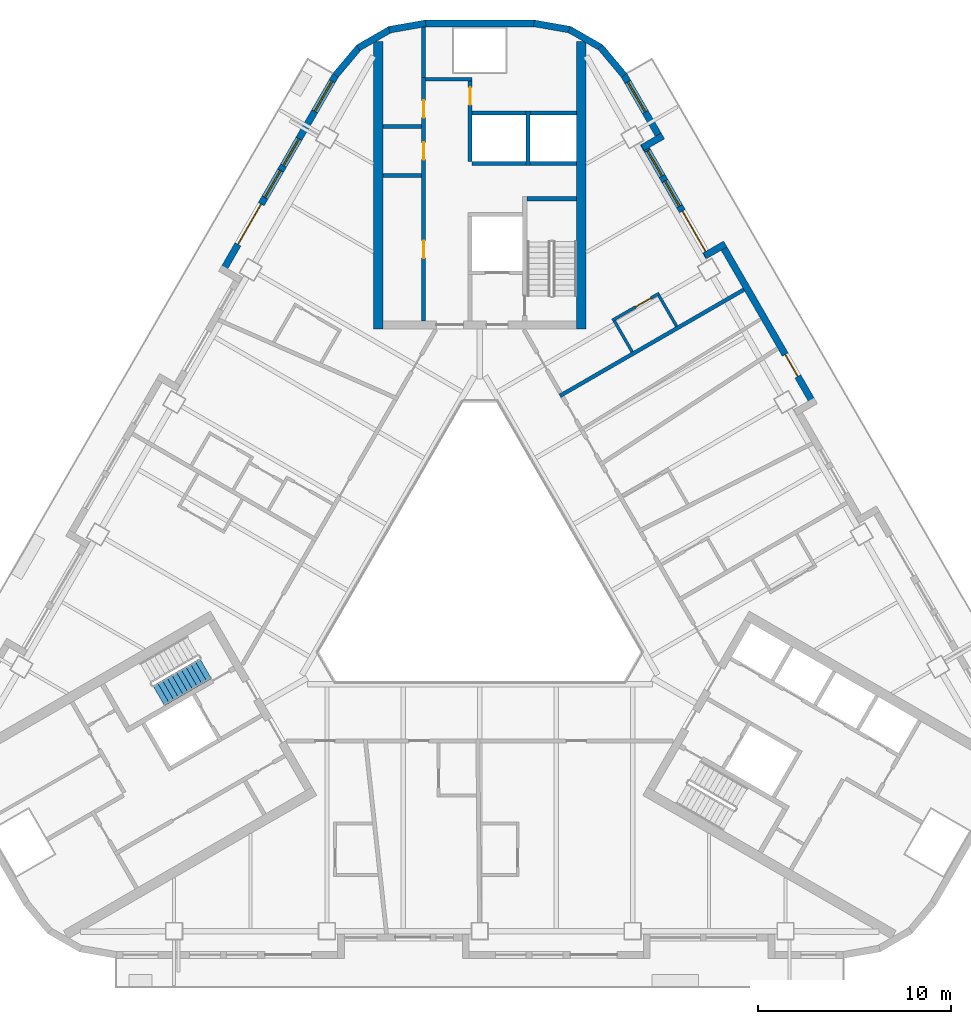
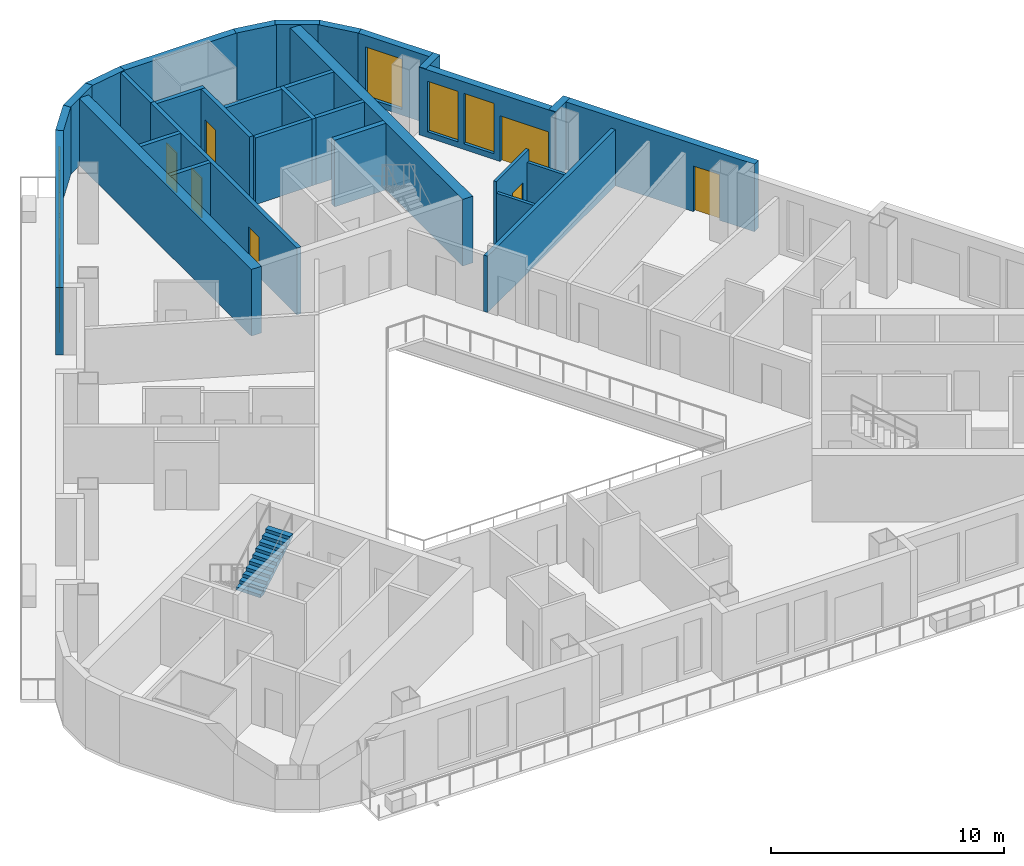
# One storey, part 7 of 14: 31 walls, 8 doors, 6 windows, 1 stair flight, 14 openings, 1 element without a shape of its own.
"""IFC4 building model written with IfcOpenShell, lengths in metres."""

from ifc_helpers import new_model, si_unit, direction, frame, frame_2d, origin, place, context, subcontext, project, spatial, polyline, rectangle, outline, extrude, material, layer, layer_set, type_object, element, fill, aggregate, save


model = new_model("IFC4")

# Units and contexts
model_context = context("Model", 3, precision=1e-05, world=origin(), true_north=direction((0.0, 1.0)))
body_context = subcontext(model_context, "Body", "Model", "MODEL_VIEW")
ifc_project = project(units=[si_unit("LENGTHUNIT", "METRE"), si_unit("AREAUNIT", "SQUARE_METRE"), si_unit("VOLUMEUNIT", "CUBIC_METRE"), si_unit("PLANEANGLEUNIT", "RADIAN"), si_unit("MASSUNIT", "GRAM", prefix="KILO")], contexts=[model_context])

# Site, building, storey
site_placement = place(None, origin())
site = spatial("IfcSite", under=ifc_project, at=site_placement, CompositionType="ELEMENT")
building_placement = place(site_placement, origin())
building = spatial("IfcBuilding", under=site, at=building_placement, Name="Apuvela Tower Hotel", CompositionType="ELEMENT")
storey_placement = place(building_placement, frame((0.0, 0.0, 116.800048828125)))
storey = spatial("IfcBuildingStorey", under=building, at=storey_placement, Name="L27", CompositionType="ELEMENT", Elevation=116.800048828125)

# Walls
ifc_material_1 = material(Name="Concrete C50/60", Category="concrete")
ifc_layer_1 = layer(ifc_material_1, 0.5)
ifc_layer_set_1 = layer_set([ifc_layer_1], Name="COR-WALL-CORE-500")
wall_type_1 = type_object("IfcWallType", Name="COR-WALL-CORE-500", PredefinedType="SHEAR", material=ifc_layer_set_1)
for number, where, z_axis, x_axis, name in (
    (1, (5.25, 12.89990234375, 0.0), (0.0, 0.0, 1.0), (0.0, 1.0, 0.0), "Core wall N"),
    (2, (-5.25, 12.89990234375, 0.0), (0.0, 0.0, 1.0), (0.0, 1.0, 0.0), "Core wall N"),
):
    element("IfcWall", number, at=place(storey_placement, frame(where, z_axis=z_axis, x_axis=x_axis)), inside=storey, type_object=wall_type_1, Name=name, PredefinedType="SHEAR", context=body_context, shape_type="SweptSolid", body=[
        extrude(rectangle(XDim=14.8369140625, YDim=0.5, at=frame_2d((7.41845703125, 0.0))), origin(), (0.0, 0.0, 1.0), 3.5),
    ])
ifc_material_2 = material(Name="Blockwork 200 mm plastered", Category="masonry")
ifc_layer_2 = layer(ifc_material_2, 0.199951171875)
ifc_layer_set_2 = layer_set([ifc_layer_2], Name="COR-WALL-PART-200")
wall_type_2 = type_object("IfcWallType", Name="COR-WALL-PART-200", PredefinedType="PARTITIONING", material=ifc_layer_set_2)
wall_1_placement = place(storey_placement, frame((5.0, 21.449951171875, 0.0), z_axis=(0.0, 0.0, 1.0), x_axis=(-1.0, 0.0, 0.0)))
element("IfcWall", 3, at=wall_1_placement, inside=storey, type_object=wall_type_2, Name="Partition N", PredefinedType="PARTITIONING", context=body_context, shape_type="SweptSolid", body=[
    extrude(rectangle(XDim=2.39990234375, YDim=0.199951171875, at=frame_2d((1.199951171875, 0.0))), origin(), (0.0, 0.0, 1.0), 3.5),
])
wall_2_placement = place(storey_placement, frame((2.39990234375, 21.449951171875, 0.0), z_axis=(0.0, 0.0, 1.0), x_axis=(-1.0, 0.0, 0.0)))
element("IfcWall", 4, at=wall_2_placement, inside=storey, type_object=wall_type_2, Name="Partition N", PredefinedType="PARTITIONING", context=body_context, shape_type="SweptSolid", body=[
    extrude(rectangle(XDim=2.7998046875, YDim=0.199951171875, at=frame_2d((1.39990234375, 0.0))), origin(), (0.0, 0.0, 1.0), 3.5),
])

# Wall, openings, doors
ifc_layer_3 = layer(ifc_material_1, 0.199951171875)
ifc_layer_set_3 = layer_set([ifc_layer_3], Name="COR-WALL-SHAFT-200")
wall_type_3 = type_object("IfcWallType", Name="COR-WALL-SHAFT-200", PredefinedType="SHEAR", material=ifc_layer_set_3)
wall_3_placement = place(storey_placement, frame((-2.89990234375, 13.300048828125, 0.0), z_axis=(0.0, 0.0, 1.0), x_axis=(0.0, 1.0, 0.0)))
wall_3 = element("IfcWall", 5, at=wall_3_placement, inside=storey, type_object=wall_type_3, Name="Shaft wall N", PredefinedType="SHEAR", context=body_context, shape_type="SweptSolid", body=[
    extrude(rectangle(XDim=12.599853515625, YDim=0.199951171875, at=frame_2d((6.2998046875, 0.0))), origin(), (0.0, 0.0, 1.0), 3.5),
])
opening_1_placement = place(wall_3_placement, frame((3.260009765625, 0.0, 0.0)))
opening_1 = element("IfcOpeningElement", 6, at=opening_1_placement, cuts=wall_3, Name="Opening N-RE1", PredefinedType="OPENING", context=body_context, shape_type="SweptSolid", body=[
    extrude(rectangle(XDim=0.89990234375, YDim=2.10009765625, at=frame_2d((0.449951171875, 1.050048828125))), frame((0.0, 0.10986328125, 0.0), z_axis=(0.0, -1.0, 0.0), x_axis=(1.0, 0.0, 0.0)), (0.0, 0.0, 1.0), 0.219970703125),
])
opening_2_placement = place(wall_3_placement, frame((8.340087890625, 0.0, 0.0)))
opening_2 = element("IfcOpeningElement", 7, at=opening_2_placement, cuts=wall_3, Name="Opening N-RE4", PredefinedType="OPENING", context=body_context, shape_type="SweptSolid", body=[
    extrude(rectangle(XDim=0.89990234375, YDim=2.10009765625, at=frame_2d((0.449951171875, 1.050048828125))), frame((0.0, 0.10986328125, 0.0), z_axis=(0.0, -1.0, 0.0), x_axis=(1.0, 0.0, 0.0)), (0.0, 0.0, 1.0), 0.219970703125),
])
opening_3_placement = place(wall_3_placement, frame((10.510009765625, 0.0, 0.0)))
opening_3 = element("IfcOpeningElement", 8, at=opening_3_placement, cuts=wall_3, Name="Opening N-REP", PredefinedType="OPENING", context=body_context, shape_type="SweptSolid", body=[
    extrude(rectangle(XDim=0.89990234375, YDim=2.10009765625, at=frame_2d((0.449951171875, 1.050048828125))), frame((0.0, 0.10986328125, 0.0), z_axis=(0.0, -1.0, 0.0), x_axis=(1.0, 0.0, 0.0)), (0.0, 0.0, 1.0), 0.219970703125),
])
ifc_material_3 = material(Name="Steel fire door, powder coated", Category="steel")
door_type_1 = type_object("IfcDoorType", Name="COR-DR-900", OperationType="NOTDEFINED", PredefinedType="DOOR", material=ifc_material_3)
door_1_placement = place(opening_1_placement, origin())
door_1 = element("IfcDoor", 9, at=door_1_placement, inside=storey, type_object=door_type_1, Name="Store door N-RE1", OperationType="SINGLE_SWING_LEFT", OverallHeight=2.10009765625, OverallWidth=0.89990234375, PredefinedType="DOOR", context=body_context, shape_type="SweptSolid", body=[
    extrude(rectangle(XDim=0.89990234375, YDim=2.10009765625, at=frame_2d((0.449951171875, 1.050048828125))), frame((0.0, 0.02490234375, 0.0), z_axis=(0.0, -1.0, 0.0), x_axis=(1.0, 0.0, 0.0)), (0.0, 0.0, 1.0), 0.050048828125),
])
fill(opening_1, door_1)
door_2_placement = place(opening_2_placement, origin())
door_2 = element("IfcDoor", 10, at=door_2_placement, inside=storey, type_object=door_type_1, Name="Store door N-RE4", OperationType="SINGLE_SWING_LEFT", OverallHeight=2.10009765625, OverallWidth=0.89990234375, PredefinedType="DOOR", context=body_context, shape_type="SweptSolid", body=[
    extrude(rectangle(XDim=0.89990234375, YDim=2.10009765625, at=frame_2d((0.449951171875, 1.050048828125))), frame((0.0, 0.02490234375, 0.0), z_axis=(0.0, -1.0, 0.0), x_axis=(1.0, 0.0, 0.0)), (0.0, 0.0, 1.0), 0.050048828125),
])
fill(opening_2, door_2)
door_3_placement = place(opening_3_placement, origin())
door_3 = element("IfcDoor", 11, at=door_3_placement, inside=storey, type_object=door_type_1, Name="Store door N-REP", OperationType="SINGLE_SWING_RIGHT", OverallHeight=2.10009765625, OverallWidth=0.89990234375, PredefinedType="DOOR", context=body_context, shape_type="SweptSolid", body=[
    extrude(rectangle(XDim=0.89990234375, YDim=2.10009765625, at=frame_2d((0.449951171875, 1.050048828125))), frame((0.0, 0.02490234375, 0.0), z_axis=(0.0, -1.0, 0.0), x_axis=(1.0, 0.0, 0.0)), (0.0, 0.0, 1.0), 0.050048828125),
])
fill(opening_3, door_3)

# Wall
wall_4_placement = place(storey_placement, frame((-0.39990234375, 25.800048828125, 0.0), z_axis=(0.0, 0.0, 1.0), x_axis=(-1.0, 0.0, 0.0)))
element("IfcWall", 12, at=wall_4_placement, inside=storey, type_object=wall_type_3, Name="Shaft wall N", PredefinedType="SHEAR", context=body_context, shape_type="SweptSolid", body=[
    extrude(rectangle(XDim=2.400146484375, YDim=0.199951171875, at=frame_2d((1.2001953125, 0.0))), origin(), (0.0, 0.0, 1.0), 3.5),
])

# Wall, opening, door
wall_5_placement = place(storey_placement, frame((-0.5, 21.550048828125, 0.0), z_axis=(0.0, 0.0, 1.0), x_axis=(0.0, 1.0, 0.0)))
wall_5 = element("IfcWall", 13, at=wall_5_placement, inside=storey, type_object=wall_type_3, Name="Shaft wall N", PredefinedType="SHEAR", context=body_context, shape_type="SweptSolid", body=[
    extrude(rectangle(XDim=4.14990234375, YDim=0.199951171875, at=frame_2d((2.074951171875, 0.0))), origin(), (0.0, 0.0, 1.0), 3.5),
])
opening_4_placement = place(wall_5_placement, frame((2.925048828125, 0.0, 0.0)))
opening_4 = element("IfcOpeningElement", 14, at=opening_4_placement, cuts=wall_5, Name="Opening N-RSP", PredefinedType="OPENING", context=body_context, shape_type="SweptSolid", body=[
    extrude(rectangle(XDim=0.89990234375, YDim=2.10009765625, at=frame_2d((0.449951171875, 1.050048828125))), frame((0.0, 0.10986328125, 0.0), z_axis=(0.0, -1.0, 0.0), x_axis=(1.0, 0.0, 0.0)), (0.0, 0.0, 1.0), 0.219970703125),
])
door_4_placement = place(opening_4_placement, frame((0.89990234375, 0.0, 0.0), z_axis=(0.0, 0.0, 1.0), x_axis=(-1.0, 0.0, 0.0)))
door_4 = element("IfcDoor", 15, at=door_4_placement, inside=storey, type_object=door_type_1, Name="Store door N-RSP", OperationType="SINGLE_SWING_LEFT", OverallHeight=2.10009765625, OverallWidth=0.89990234375, PredefinedType="DOOR", context=body_context, shape_type="SweptSolid", body=[
    extrude(rectangle(XDim=0.89990234375, YDim=2.10009765625, at=frame_2d((0.449951171875, 1.050048828125))), frame((0.0, 0.02490234375, 0.0), z_axis=(0.0, -1.0, 0.0), x_axis=(1.0, 0.0, 0.0)), (0.0, 0.0, 1.0), 0.050048828125),
])
fill(opening_4, door_4)

# Walls
for number, where, z_axis, x_axis, name in (
    (16, (-3.0, 20.820068359375, 0.0), (0.0, 0.0, 1.0), (-1.0, 0.0, 0.0), "Shaft wall N"),
    (17, (-3.0, 23.360107421875, 0.0), (0.0, 0.0, 1.0), (-1.0, 0.0, 0.0), "Shaft wall N"),
):
    element("IfcWall", number, at=place(storey_placement, frame(where, z_axis=z_axis, x_axis=x_axis)), inside=storey, type_object=wall_type_3, Name=name, PredefinedType="SHEAR", context=body_context, shape_type="SweptSolid", body=[
        extrude(rectangle(XDim=2.0, YDim=0.199951171875, at=frame_2d((1.0, 0.0))), origin(), (0.0, 0.0, 1.0), 3.5),
    ])
wall_6_placement = place(storey_placement, frame((-2.89990234375, 25.89990234375, 0.0), z_axis=(0.0, 0.0, 1.0), x_axis=(0.0, 1.0, 0.0)))
element("IfcWall", 18, at=wall_6_placement, inside=storey, type_object=wall_type_3, Name="Shaft wall N", PredefinedType="SHEAR", context=body_context, shape_type="SweptSolid", body=[
    extrude(rectangle(XDim=2.60009765625, YDim=0.199951171875, at=frame_2d((1.300048828125, 0.0))), origin(), (0.0, 0.0, 1.0), 3.5),
])
wall_7_placement = place(storey_placement, frame((2.5, 21.35009765625, 0.0), z_axis=(0.0, 0.0, 1.0), x_axis=(0.0, 1.0, 0.0)))
element("IfcWall", 19, at=wall_7_placement, inside=storey, type_object=wall_type_3, Name="Shaft wall N", PredefinedType="SHEAR", context=body_context, shape_type="SweptSolid", body=[
    extrude(rectangle(XDim=2.7998046875, YDim=0.199951171875, at=frame_2d((1.39990234375, 0.0))), origin(), (0.0, 0.0, 1.0), 3.5),
])
wall_8_placement = place(storey_placement, frame((5.0, 24.050048828125, 0.0), z_axis=(0.0, 0.0, 1.0), x_axis=(-1.0, 0.0, 0.0)))
element("IfcWall", 20, at=wall_8_placement, inside=storey, type_object=wall_type_3, Name="Shaft wall N", PredefinedType="SHEAR", context=body_context, shape_type="SweptSolid", body=[
    extrude(rectangle(XDim=2.39990234375, YDim=0.199951171875, at=frame_2d((1.199951171875, 0.0))), origin(), (0.0, 0.0, 1.0), 3.5),
])
wall_9_placement = place(storey_placement, frame((2.39990234375, 24.050048828125, 0.0), z_axis=(0.0, 0.0, 1.0), x_axis=(-1.0, 0.0, 0.0)))
element("IfcWall", 21, at=wall_9_placement, inside=storey, type_object=wall_type_3, Name="Shaft wall N", PredefinedType="SHEAR", context=body_context, shape_type="SweptSolid", body=[
    extrude(rectangle(XDim=2.7998046875, YDim=0.199951171875, at=frame_2d((1.39990234375, 0.0))), origin(), (0.0, 0.0, 1.0), 3.5),
])
ifc_layer_4 = layer(ifc_material_1, 0.25)
ifc_layer_set_4 = layer_set([ifc_layer_4], Name="COR-WALL-STAIR-250")
wall_type_4 = type_object("IfcWallType", Name="COR-WALL-STAIR-250", PredefinedType="SHEAR", material=ifc_layer_set_4)
wall_10_placement = place(storey_placement, frame((5.0, 19.625, 0.0), z_axis=(0.0, 0.0, 1.0), x_axis=(-1.0, 0.0, 0.0)))
element("IfcWall", 22, at=wall_10_placement, inside=storey, type_object=wall_type_4, Name="Stair wall N", PredefinedType="SHEAR", context=body_context, shape_type="SweptSolid", body=[
    extrude(rectangle(XDim=2.550048828125, YDim=0.25, at=frame_2d((1.27490234375, 0.0))), origin(), (0.0, 0.0, 1.0), 3.5),
])

# Wall, openings, door, windows
ifc_material_4 = material(Name="Concrete C40/50, dark pigmented precast panel", Category="concrete")
ifc_layer_5 = layer(ifc_material_4, 0.35009765625)
ifc_layer_set_5 = layer_set([ifc_layer_5], Name="ENV-WALL-350")
wall_type_5 = type_object("IfcWallType", Name="ENV-WALL-350", PredefinedType="SOLIDWALL", material=ifc_layer_set_5)
wall_11_placement = place(storey_placement, frame((-7.440673828125, 26.0224609375, 0.0), z_axis=(0.0, 0.0, 1.0), x_axis=(-0.499992533062, -0.86602971478, 0.0)))
wall_11 = element("IfcWall", 23, at=wall_11_placement, inside=storey, type_object=wall_type_5, Name="External wall L27-01", PredefinedType="SOLIDWALL", context=body_context, shape_type="SweptSolid", body=[
    extrude(rectangle(XDim=11.815673828125, YDim=0.35009765625, at=frame_2d((5.90771484375, 0.0))), origin(), (0.0, 0.0, 1.0), 3.550048828125),
])
opening_5_placement = place(wall_11_placement, frame((0.381103515625, 0.0, 0.300048828125)))
opening_5 = element("IfcOpeningElement", 24, at=opening_5_placement, cuts=wall_11, Name="Opening WN18", PredefinedType="OPENING", context=body_context, shape_type="SweptSolid", body=[
    extrude(rectangle(XDim=1.800048828125, YDim=2.64990234375, at=frame_2d((0.89990234375, 1.324951171875))), frame((0.0, 0.18505859375, 0.0), z_axis=(0.0, -1.0, 0.0), x_axis=(1.0, 0.0, 0.0)), (0.0, 0.0, 1.0), 0.3701171875),
])
opening_6_placement = place(wall_11_placement, frame((7.7158203125, 0.0, 0.0)))
opening_6 = element("IfcOpeningElement", 25, at=opening_6_placement, cuts=wall_11, Name="Opening BD24", PredefinedType="OPENING", context=body_context, shape_type="SweptSolid", body=[
    extrude(rectangle(XDim=2.39990234375, YDim=2.39990234375, at=frame_2d((1.199951171875, 1.199951171875))), frame((0.0, 0.18505859375, 0.0), z_axis=(0.0, -1.0, 0.0), x_axis=(1.0, 0.0, 0.0)), (0.0, 0.0, 1.0), 0.3701171875),
])
opening_7_placement = place(wall_11_placement, frame((3.815185546875, 0.0, 0.300048828125)))
opening_7 = element("IfcOpeningElement", 26, at=opening_7_placement, cuts=wall_11, Name="Opening WN16", PredefinedType="OPENING", context=body_context, shape_type="SweptSolid", body=[
    extrude(rectangle(XDim=1.60009765625, YDim=2.64990234375, at=frame_2d((0.800048828125, 1.324951171875))), frame((0.0, 0.18505859375, 0.0), z_axis=(0.0, -1.0, 0.0), x_axis=(1.0, 0.0, 0.0)), (0.0, 0.0, 1.0), 0.3701171875),
])
opening_8_placement = place(wall_11_placement, frame((5.715087890625, 0.0, 0.300048828125)))
opening_8 = element("IfcOpeningElement", 27, at=opening_8_placement, cuts=wall_11, Name="Opening WN16", PredefinedType="OPENING", context=body_context, shape_type="SweptSolid", body=[
    extrude(rectangle(XDim=1.60009765625, YDim=2.64990234375, at=frame_2d((0.800048828125, 1.324951171875))), frame((0.0, 0.18505859375, 0.0), z_axis=(0.0, -1.0, 0.0), x_axis=(1.0, 0.0, 0.0)), (0.0, 0.0, 1.0), 0.3701171875),
])
ifc_material_5 = material(Name="Aluminium 6063-T6, dark bronze anodised frame with dark tinted laminated glass", Category="aluminium")
door_type_2 = type_object("IfcDoorType", Name="ENV-DOOR-BALCONY-2400x2400", OperationType="SLIDING_TO_LEFT", PredefinedType="DOOR", material=ifc_material_5)
door_5_placement = place(opening_6_placement, frame((2.39990234375, 0.0, 0.0), z_axis=(0.0, 0.0, 1.0), x_axis=(-1.0, 0.0, 0.0)))
door_5 = element("IfcDoor", 28, at=door_5_placement, inside=storey, type_object=door_type_2, Name="Balcony door BD24", OperationType="SLIDING_TO_LEFT", OverallHeight=2.39990234375, OverallWidth=2.39990234375, PredefinedType="DOOR", context=body_context, shape_type="SweptSolid", body=[
    extrude(rectangle(XDim=2.39990234375, YDim=2.39990234375, at=frame_2d((1.199951171875, 1.199951171875))), frame((0.0, 0.02490234375, 0.0), z_axis=(0.0, -1.0, 0.0), x_axis=(1.0, 0.0, 0.0)), (0.0, 0.0, 1.0), 0.050048828125),
])
fill(opening_6, door_5)
ifc_material_6 = material(Name="Glass, dark tinted laminated insulated glazing unit", Category="glass")
window_type_1 = type_object("IfcWindowType", Name="ENV-WIN-1600x2650", PartitioningType="SINGLE_PANEL", PredefinedType="WINDOW", material=ifc_material_6)
window_1_placement = place(opening_7_placement, origin())
window_1 = element("IfcWindow", 29, at=window_1_placement, inside=storey, type_object=window_type_1, Name="Window WN16", OverallHeight=2.64990234375, OverallWidth=1.60009765625, PartitioningType="SINGLE_PANEL", PredefinedType="WINDOW", context=body_context, shape_type="SweptSolid", body=[
    extrude(rectangle(XDim=1.60009765625, YDim=2.64990234375, at=frame_2d((0.800048828125, 1.324951171875))), frame((0.0, 0.030029296875, 0.0), z_axis=(0.0, -1.0, 0.0), x_axis=(1.0, 0.0, 0.0)), (0.0, 0.0, 1.0), 0.06005859375),
])
fill(opening_7, window_1)
window_2_placement = place(opening_8_placement, origin())
window_2 = element("IfcWindow", 30, at=window_2_placement, inside=storey, type_object=window_type_1, Name="Window WN16", OverallHeight=2.64990234375, OverallWidth=1.60009765625, PartitioningType="SINGLE_PANEL", PredefinedType="WINDOW", context=body_context, shape_type="SweptSolid", body=[
    extrude(rectangle(XDim=1.60009765625, YDim=2.64990234375, at=frame_2d((0.800048828125, 1.324951171875))), frame((0.0, 0.030029296875, 0.0), z_axis=(0.0, -1.0, 0.0), x_axis=(1.0, 0.0, 0.0)), (0.0, 0.0, 1.0), 0.06005859375),
])
fill(opening_8, window_2)
window_type_2 = type_object("IfcWindowType", Name="ENV-WIN-1800x2650", PartitioningType="SINGLE_PANEL", PredefinedType="WINDOW", material=ifc_material_6)
window_3_placement = place(opening_5_placement, origin())
window_3 = element("IfcWindow", 31, at=window_3_placement, inside=storey, type_object=window_type_2, Name="Window WN18", OverallHeight=2.64990234375, OverallWidth=1.800048828125, PartitioningType="SINGLE_PANEL", PredefinedType="WINDOW", context=body_context, shape_type="SweptSolid", body=[
    extrude(rectangle(XDim=1.800048828125, YDim=2.64990234375, at=frame_2d((0.89990234375, 1.324951171875))), frame((0.0, 0.030029296875, 0.0), z_axis=(0.0, -1.0, 0.0), x_axis=(1.0, 0.0, 0.0)), (0.0, 0.0, 1.0), 0.06005859375),
])
fill(opening_5, window_3)

# Wall, opening, door
wall_12_placement = place(storey_placement, frame((17.298583984375, 8.947998046875, 0.0), z_axis=(0.0, 0.0, 1.0), x_axis=(-0.500010041276, 0.866019606374, 0.0)))
wall_12 = element("IfcWall", 32, at=wall_12_placement, inside=storey, type_object=wall_type_5, Name="External wall L27-37", PredefinedType="SOLIDWALL", context=body_context, shape_type="SweptSolid", body=[
    extrude(rectangle(XDim=9.699951171875, YDim=0.35009765625, at=frame_2d((4.85009765625, 0.0))), origin(), (0.0, 0.0, 1.0), 3.550048828125),
])
opening_9_placement = place(wall_12_placement, frame((1.724609375, 0.0, 0.0)))
opening_9 = element("IfcOpeningElement", 33, at=opening_9_placement, cuts=wall_12, Name="Opening BD13", PredefinedType="OPENING", context=body_context, shape_type="SweptSolid", body=[
    extrude(rectangle(XDim=1.300048828125, YDim=2.39990234375, at=frame_2d((0.64990234375, 1.199951171875))), frame((0.0, 0.18505859375, 0.0), z_axis=(0.0, -1.0, 0.0), x_axis=(1.0, 0.0, 0.0)), (0.0, 0.0, 1.0), 0.3701171875),
])
door_type_3 = type_object("IfcDoorType", Name="ENV-DOOR-BALCONY-1300x2400", OperationType="SLIDING_TO_LEFT", PredefinedType="DOOR", material=ifc_material_5)
door_6_placement = place(opening_9_placement, frame((1.300048828125, 0.0, 0.0), z_axis=(0.0, 0.0, 1.0), x_axis=(-1.0, 0.0, 0.0)))
door_6 = element("IfcDoor", 34, at=door_6_placement, inside=storey, type_object=door_type_3, Name="Balcony door BD13", OperationType="SLIDING_TO_LEFT", OverallHeight=2.39990234375, OverallWidth=1.300048828125, PredefinedType="DOOR", context=body_context, shape_type="SweptSolid", body=[
    extrude(rectangle(XDim=1.300048828125, YDim=2.39990234375, at=frame_2d((0.64990234375, 1.199951171875))), frame((0.0, 0.02490234375, 0.0), z_axis=(0.0, -1.0, 0.0), x_axis=(1.0, 0.0, 0.0)), (0.0, 0.0, 1.0), 0.050048828125),
])
fill(opening_9, door_6)

# Wall
wall_13_placement = place(storey_placement, frame((12.6875, 17.284423828125, 0.0), z_axis=(0.0, 0.0, 1.0), x_axis=(-0.865955602162, -0.500120880472, 0.0)))
element("IfcWall", 35, at=wall_13_placement, inside=storey, type_object=wall_type_5, Name="External wall L27-38", PredefinedType="SOLIDWALL", context=body_context, shape_type="SweptSolid", body=[
    extrude(rectangle(XDim=1.219970703125, YDim=0.35009765625, at=frame_2d((0.60986328125, 0.0))), origin(), (0.0, 0.0, 1.0), 3.550048828125),
])

# Wall, openings, door, windows
wall_14_placement = place(storey_placement, frame((11.8291015625, 16.621337890625, 0.0), z_axis=(0.0, 0.0, 1.0), x_axis=(-0.500003597184, 0.866023326939, 0.0)))
wall_14 = element("IfcWall", 36, at=wall_14_placement, inside=storey, type_object=wall_type_5, Name="External wall L27-39", PredefinedType="SOLIDWALL", context=body_context, shape_type="SweptSolid", body=[
    extrude(rectangle(XDim=6.740234375, YDim=0.35009765625, at=frame_2d((3.3701171875, 0.0))), origin(), (0.0, 0.0, 1.0), 3.550048828125),
])
opening_10_placement = place(wall_14_placement, frame((0.320068359375, 0.0, 0.0)))
opening_10 = element("IfcOpeningElement", 37, at=opening_10_placement, cuts=wall_14, Name="Opening BD24", PredefinedType="OPENING", context=body_context, shape_type="SweptSolid", body=[
    extrude(rectangle(XDim=2.39990234375, YDim=2.39990234375, at=frame_2d((1.199951171875, 1.199951171875))), frame((0.0, 0.18505859375, 0.0), z_axis=(0.0, -1.0, 0.0), x_axis=(1.0, 0.0, 0.0)), (0.0, 0.0, 1.0), 0.3701171875),
])
opening_11_placement = place(wall_14_placement, frame((3.02001953125, 0.0, 0.300048828125)))
opening_11 = element("IfcOpeningElement", 38, at=opening_11_placement, cuts=wall_14, Name="Opening WN15", PredefinedType="OPENING", context=body_context, shape_type="SweptSolid", body=[
    extrude(rectangle(XDim=1.5, YDim=2.64990234375, at=frame_2d((0.75, 1.324951171875))), frame((0.0, 0.18505859375, 0.0), z_axis=(0.0, -1.0, 0.0), x_axis=(1.0, 0.0, 0.0)), (0.0, 0.0, 1.0), 0.3701171875),
])
opening_12_placement = place(wall_14_placement, frame((4.820068359375, 0.0, 0.300048828125)))
opening_12 = element("IfcOpeningElement", 39, at=opening_12_placement, cuts=wall_14, Name="Opening WN15", PredefinedType="OPENING", context=body_context, shape_type="SweptSolid", body=[
    extrude(rectangle(XDim=1.5, YDim=2.64990234375, at=frame_2d((0.75, 1.324951171875))), frame((0.0, 0.18505859375, 0.0), z_axis=(0.0, -1.0, 0.0), x_axis=(1.0, 0.0, 0.0)), (0.0, 0.0, 1.0), 0.3701171875),
])
door_7_placement = place(opening_10_placement, frame((2.39990234375, 0.0, 0.0), z_axis=(0.0, 0.0, 1.0), x_axis=(-1.0, 0.0, 0.0)))
door_7 = element("IfcDoor", 40, at=door_7_placement, inside=storey, type_object=door_type_2, Name="Balcony door BD24", OperationType="SLIDING_TO_LEFT", OverallHeight=2.39990234375, OverallWidth=2.39990234375, PredefinedType="DOOR", context=body_context, shape_type="SweptSolid", body=[
    extrude(rectangle(XDim=2.39990234375, YDim=2.39990234375, at=frame_2d((1.199951171875, 1.199951171875))), frame((0.0, 0.02490234375, 0.0), z_axis=(0.0, -1.0, 0.0), x_axis=(1.0, 0.0, 0.0)), (0.0, 0.0, 1.0), 0.050048828125),
])
fill(opening_10, door_7)
window_type_3 = type_object("IfcWindowType", Name="ENV-WIN-1500x2650", PartitioningType="SINGLE_PANEL", PredefinedType="WINDOW", material=ifc_material_6)
window_4_placement = place(opening_11_placement, origin())
window_4 = element("IfcWindow", 41, at=window_4_placement, inside=storey, type_object=window_type_3, Name="Window WN15", OverallHeight=2.64990234375, OverallWidth=1.5, PartitioningType="SINGLE_PANEL", PredefinedType="WINDOW", context=body_context, shape_type="SweptSolid", body=[
    extrude(rectangle(XDim=1.5, YDim=2.64990234375, at=frame_2d((0.75, 1.324951171875))), frame((0.0, 0.030029296875, 0.0), z_axis=(0.0, -1.0, 0.0), x_axis=(1.0, 0.0, 0.0)), (0.0, 0.0, 1.0), 0.06005859375),
])
fill(opening_11, window_4)
window_5_placement = place(opening_12_placement, origin())
window_5 = element("IfcWindow", 42, at=window_5_placement, inside=storey, type_object=window_type_3, Name="Window WN15", OverallHeight=2.64990234375, OverallWidth=1.5, PartitioningType="SINGLE_PANEL", PredefinedType="WINDOW", context=body_context, shape_type="SweptSolid", body=[
    extrude(rectangle(XDim=1.5, YDim=2.64990234375, at=frame_2d((0.75, 1.324951171875))), frame((0.0, 0.030029296875, 0.0), z_axis=(0.0, -1.0, 0.0), x_axis=(1.0, 0.0, 0.0)), (0.0, 0.0, 1.0), 0.06005859375),
])
fill(opening_12, window_5)

# Wall
wall_15_placement = place(storey_placement, frame((8.406005859375, 22.26025390625, 0.0), z_axis=(0.0, 0.0, 1.0), x_axis=(0.865955602162, 0.500120880472, 0.0)))
element("IfcWall", 43, at=wall_15_placement, inside=storey, type_object=wall_type_5, Name="External wall L27-40", PredefinedType="SOLIDWALL", context=body_context, shape_type="SweptSolid", body=[
    extrude(rectangle(XDim=1.219970703125, YDim=0.35009765625, at=frame_2d((0.60986328125, 0.0))), origin(), (0.0, 0.0, 1.0), 3.550048828125),
])

# Wall, opening, window
wall_16_placement = place(storey_placement, frame((9.3984375, 22.631103515625, 0.0), z_axis=(0.0, 0.0, 1.0), x_axis=(-0.499954521343, 0.866051659307, 0.0)))
wall_16 = element("IfcWall", 44, at=wall_16_placement, inside=storey, type_object=wall_type_5, Name="External wall L27-41", PredefinedType="SOLIDWALL", context=body_context, shape_type="SweptSolid", body=[
    extrude(rectangle(XDim=3.915771484375, YDim=0.35009765625, at=frame_2d((1.9580078125, 0.0))), origin(), (0.0, 0.0, 1.0), 3.550048828125),
])
opening_13_placement = place(wall_16_placement, frame((1.69970703125, 0.0, 0.300048828125)))
opening_13 = element("IfcOpeningElement", 45, at=opening_13_placement, cuts=wall_16, Name="Opening WN18", PredefinedType="OPENING", context=body_context, shape_type="SweptSolid", body=[
    extrude(rectangle(XDim=1.800048828125, YDim=2.64990234375, at=frame_2d((0.89990234375, 1.324951171875))), frame((0.0, 0.18505859375, 0.0), z_axis=(0.0, -1.0, 0.0), x_axis=(1.0, 0.0, 0.0)), (0.0, 0.0, 1.0), 0.3701171875),
])
window_6_placement = place(opening_13_placement, origin())
window_6 = element("IfcWindow", 46, at=window_6_placement, inside=storey, type_object=window_type_2, Name="Window WN18", OverallHeight=2.64990234375, OverallWidth=1.800048828125, PartitioningType="SINGLE_PANEL", PredefinedType="WINDOW", context=body_context, shape_type="SweptSolid", body=[
    extrude(rectangle(XDim=1.800048828125, YDim=2.64990234375, at=frame_2d((0.89990234375, 1.324951171875))), frame((0.0, 0.030029296875, 0.0), z_axis=(0.0, -1.0, 0.0), x_axis=(1.0, 0.0, 0.0)), (0.0, 0.0, 1.0), 0.06005859375),
])
fill(opening_13, window_6)

# Walls
wall_17_placement = place(storey_placement, frame((7.4580078125, 25.99755859375, 0.0), z_axis=(0.0, 0.0, 1.0), x_axis=(-0.642808304945, 0.766027077259, 0.0)))
element("IfcWall", 47, at=wall_17_placement, inside=storey, type_object=wall_type_5, Name="External wall L27-42", PredefinedType="SOLIDWALL", context=body_context, shape_type="SweptSolid", body=[
    extrude(rectangle(XDim=1.909912109375, YDim=0.35009765625, at=frame_2d((0.955078125, 0.0))), origin(), (0.0, 0.0, 1.0), 3.550048828125),
])
for number, where, z_axis, x_axis, name in (
    (48, (6.27685546875, 27.421630859375, 0.0), (0.0, 0.0, 1.0), (-0.866032345022, 0.499987977232, 0.0), "External wall L27-43"),
    (49, (4.6796875, 28.35595703125, 0.0), (0.0, 0.0, 1.0), (-0.984798995425, 0.173697837091, 0.0), "External wall L27-44"),
):
    element("IfcWall", number, at=place(storey_placement, frame(where, z_axis=z_axis, x_axis=x_axis)), inside=storey, type_object=wall_type_5, Name=name, PredefinedType="SOLIDWALL", context=body_context, shape_type="SweptSolid", body=[
        extrude(rectangle(XDim=1.91015625, YDim=0.35009765625, at=frame_2d((0.955078125, 0.0))), origin(), (0.0, 0.0, 1.0), 3.550048828125),
    ])
wall_18_placement = place(storey_placement, frame((2.8291015625, 28.68505859375, 0.0), z_axis=(0.0, 0.0, 1.0), x_axis=(-1.0, 0.0, 0.0)))
element("IfcWall", 50, at=wall_18_placement, inside=storey, type_object=wall_type_5, Name="External wall L27-45", PredefinedType="SOLIDWALL", context=body_context, shape_type="SweptSolid", body=[
    extrude(rectangle(XDim=5.658203125, YDim=0.35009765625, at=frame_2d((2.8291015625, 0.0))), origin(), (0.0, 0.0, 1.0), 3.550048828125),
])
for number, where, z_axis, x_axis, name in (
    (51, (-2.798583984375, 28.687744140625, 0.0), (0.0, 0.0, 1.0), (-0.984798995425, -0.173697837091, 0.0), "External wall L27-46"),
    (52, (-4.62255859375, 28.376708984375, 0.0), (0.0, 0.0, 1.0), (-0.866032345022, -0.499987977232, 0.0), "External wall L27-47"),
):
    element("IfcWall", number, at=place(storey_placement, frame(where, z_axis=z_axis, x_axis=x_axis)), inside=storey, type_object=wall_type_5, Name=name, PredefinedType="SOLIDWALL", context=body_context, shape_type="SweptSolid", body=[
        extrude(rectangle(XDim=1.91015625, YDim=0.35009765625, at=frame_2d((0.955078125, 0.0))), origin(), (0.0, 0.0, 1.0), 3.550048828125),
    ])
wall_19_placement = place(storey_placement, frame((-6.230224609375, 27.460693359375, 0.0), z_axis=(0.0, 0.0, 1.0), x_axis=(-0.642808304945, -0.766027077259, 0.0)))
element("IfcWall", 53, at=wall_19_placement, inside=storey, type_object=wall_type_5, Name="External wall L27-48", PredefinedType="SOLIDWALL", context=body_context, shape_type="SweptSolid", body=[
    extrude(rectangle(XDim=1.909912109375, YDim=0.35009765625, at=frame_2d((0.955078125, 0.0))), origin(), (0.0, 0.0, 1.0), 3.550048828125),
])
ifc_material_7 = material(Name="Gypsum board partition on twin steel stud", Category="steel")
ifc_layer_6 = layer(ifc_material_7, 0.199951171875)
ifc_layer_set_6 = layer_set([ifc_layer_6], Name="GST-PW1")
wall_type_6 = type_object("IfcWallType", Name="GST-PW1", PredefinedType="PARTITIONING", material=ifc_layer_set_6)
wall_20_placement = place(storey_placement, frame((13.64697265625, 14.9228515625, 0.0), z_axis=(0.0, 0.0, 1.0), x_axis=(-0.866027479907, -0.499996404033, 0.0)))
element("IfcWall", 54, at=wall_20_placement, inside=storey, type_object=wall_type_6, Name="L27 partition 06", PredefinedType="PARTITIONING", context=body_context, shape_type="SweptSolid", body=[
    extrude(rectangle(XDim=10.97998046875, YDim=0.199951171875, at=frame_2d((5.489990234375, 0.0))), origin(), (0.0, 0.0, 1.0), 2.9599609375),
])

# Wall, opening, door
ifc_material_8 = material(Name="Moisture-resistant gypsum board wet wall on steel stud", Category="steel")
ifc_layer_7 = layer(ifc_material_8, 0.14990234375)
ifc_layer_set_7 = layer_set([ifc_layer_7], Name="GST-PW3")
wall_type_7 = type_object("IfcWallType", Name="GST-PW3", PredefinedType="PARTITIONING", material=ifc_layer_set_7)
wall_21_placement = place(storey_placement, frame((9.2744140625, 14.736572265625, 0.0), z_axis=(0.0, 0.0, 1.0), x_axis=(-0.866018616679, -0.500011755427, 0.0)))
wall_21 = element("IfcWall", 55, at=wall_21_placement, inside=storey, type_object=wall_type_7, Name="L27 partition 34", PredefinedType="PARTITIONING", context=body_context, shape_type="SweptSolid", body=[
    extrude(rectangle(XDim=2.80029296875, YDim=0.14990234375, at=frame_2d((1.400146484375, 0.0))), origin(), (0.0, 0.0, 1.0), 3.550048828125),
])
opening_14_placement = place(wall_21_placement, frame((0.5, 0.0, 0.0)))
opening_14 = element("IfcOpeningElement", 56, at=opening_14_placement, cuts=wall_21, Name="Opening GD10-15", PredefinedType="OPENING", context=body_context, shape_type="SweptSolid", body=[
    extrude(rectangle(XDim=0.89990234375, YDim=2.10009765625, at=frame_2d((0.449951171875, 1.050048828125))), frame((0.0, 0.0849609375, 0.0), z_axis=(0.0, -1.0, 0.0), x_axis=(1.0, 0.0, 0.0)), (0.0, 0.0, 1.0), 0.169921875),
])
ifc_material_9 = material(Name="Timber door leaf in steel frame", Category="steel")
door_type_4 = type_object("IfcDoorType", Name="GST-D2", OperationType="NOTDEFINED", PredefinedType="DOOR", material=ifc_material_9)
door_8_placement = place(opening_14_placement, origin())
door_8 = element("IfcDoor", 57, at=door_8_placement, inside=storey, type_object=door_type_4, Name="Door L27-15", OperationType="SINGLE_SWING_LEFT", OverallHeight=2.10009765625, OverallWidth=0.89990234375, PredefinedType="DOOR", context=body_context, shape_type="SweptSolid", body=[
    extrude(rectangle(XDim=0.89990234375, YDim=2.10009765625, at=frame_2d((0.449951171875, 1.050048828125))), frame((0.0, 0.02490234375, 0.0), z_axis=(0.0, -1.0, 0.0), x_axis=(1.0, 0.0, 0.0)), (0.0, 0.0, 1.0), 0.050048828125),
])
fill(opening_14, door_8)

# Walls
wall_22_placement = place(storey_placement, frame((10.171875, 13.031982421875, 0.0), z_axis=(0.0, 0.0, 1.0), x_axis=(-0.500042316284, 0.866000971088, 0.0)))
element("IfcWall", 58, at=wall_22_placement, inside=storey, type_object=wall_type_7, Name="L27 partition 35", PredefinedType="PARTITIONING", context=body_context, shape_type="SweptSolid", body=[
    extrude(rectangle(XDim=1.849853515625, YDim=0.14990234375, at=frame_2d((0.9248046875, 0.0))), origin(), (0.0, 0.0, 1.0), 2.949951171875),
])
wall_23_placement = place(storey_placement, frame((7.876953125, 11.706787109375, 0.0), z_axis=(0.0, 0.0, 1.0), x_axis=(-0.499985172903, 0.866033964044, 0.0)))
element("IfcWall", 59, at=wall_23_placement, inside=storey, type_object=wall_type_7, Name="L27 partition 36", PredefinedType="PARTITIONING", context=body_context, shape_type="SweptSolid", body=[
    extrude(rectangle(XDim=1.85009765625, YDim=0.14990234375, at=frame_2d((0.925048828125, 0.0))), origin(), (0.0, 0.0, 1.0), 2.949951171875),
])

# Stair, stair flight
stair_type = type_object("IfcStairType", Name="COR-STAIR-22R", PredefinedType="HALF_TURN_STAIR", material=ifc_material_1)
stair_placement = place(storey_placement, origin())
stair = element("IfcStair", 60, at=stair_placement, inside=storey, type_object=stair_type, Name="L27 Exit stair ST2", PredefinedType="HALF_TURN_STAIR")
stair_flight_type = type_object("IfcStairFlightType", Name="COR-FLIGHT-11R", PredefinedType="STRAIGHT", material=ifc_material_1)
stair_flight_placement = place(storey_placement, frame((-16.59375, -6.05859375, 1.849853515625), z_axis=(0.0, 0.0, 1.0), x_axis=(0.866025403784, 0.5, 0.0)))
stair_flight = element("IfcStairFlight", 61, at=stair_flight_placement, type_object=stair_flight_type, Name="ST2 flight 2", NumberOfRisers=11, NumberOfTreads=10, PredefinedType="STRAIGHT", RiserHeight=0.168181818, TreadLength=0.28, context=body_context, shape_type="SweptSolid", body=[
    extrude(outline(polyline([(0.0, 0.0), (0.0, 0.168212890625), (0.280029296875, 0.168212890625), (0.280029296875, 0.33642578125), (0.56005859375, 0.33642578125), (0.56005859375, 0.504638671875), (0.840087890625, 0.504638671875), (0.840087890625, 0.672607421875), (1.1201171875, 0.672607421875), (1.1201171875, 0.8408203125), (1.39990234375, 0.8408203125), (1.39990234375, 1.009033203125), (1.679931640625, 1.009033203125), (1.679931640625, 1.17724609375), (1.9599609375, 1.17724609375), (1.9599609375, 1.345458984375), (2.239990234375, 1.345458984375), (2.239990234375, 1.513671875), (2.52001953125, 1.513671875), (2.52001953125, 1.681884765625), (2.800048828125, 1.681884765625), (2.800048828125, 1.85009765625), (2.800048828125, 1.5068359375), (0.291015625, 0.0), (0.0, 0.0)])), frame((0.0, 0.60009765625, 0.0), z_axis=(0.0, -1.0, 0.0), x_axis=(1.0, 0.0, 0.0)), (0.0, 0.0, 1.0), 1.199951171875),
])
aggregate(stair, [stair_flight])

save(model, "model.ifc")
